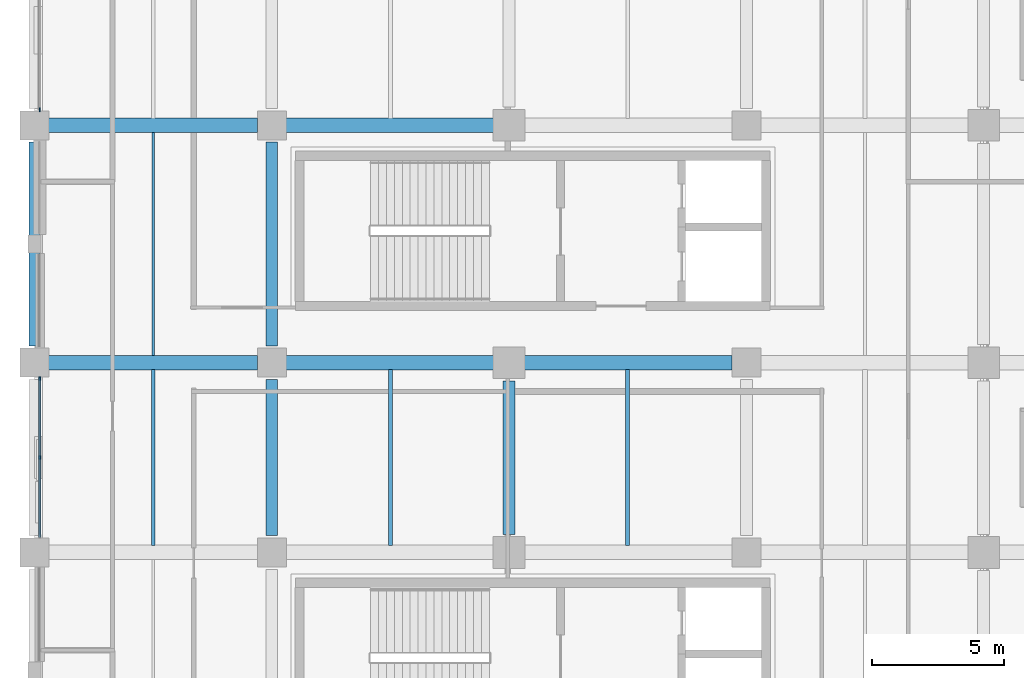
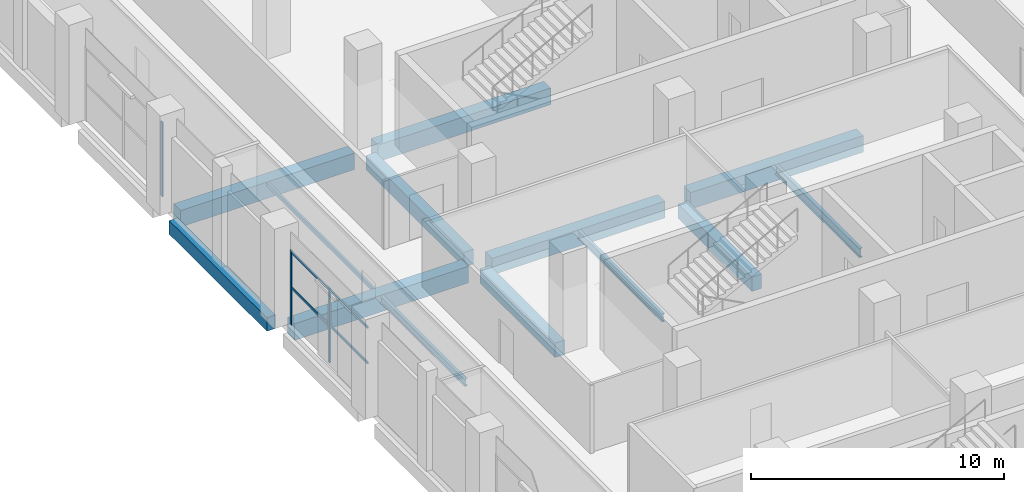
# One storey, part 16 of 100: 13 beams, 5 members, 2 elements without a shape of their own.
"""IFC4 building model written with IfcOpenShell, lengths in metres."""

from ifc_helpers import new_model, si_unit, direction, frame, origin, origin_2d, place, context, subcontext, project, spatial, rectangle, hollow_rectangle, i_section, extrude, material, material_profile, profile_set, type_object, element, aggregate, save


model = new_model("IFC4")

# Units and contexts
model_context = context("Model", 3, precision=1e-05, world=origin(), true_north=direction((0.0, 1.0)))
body_context = subcontext(model_context, "Body", "Model", "MODEL_VIEW")
ifc_project = project(units=[si_unit("LENGTHUNIT", "METRE"), si_unit("AREAUNIT", "SQUARE_METRE"), si_unit("VOLUMEUNIT", "CUBIC_METRE"), si_unit("PLANEANGLEUNIT", "RADIAN"), si_unit("MASSUNIT", "GRAM", prefix="KILO"), si_unit("THERMODYNAMICTEMPERATUREUNIT", "KELVIN"), si_unit("POWERUNIT", "WATT")], contexts=[model_context])

# Site, building, storey
site_placement = place(None, origin())
site = spatial("IfcSite", under=ifc_project, at=site_placement, CompositionType="ELEMENT")
building_placement = place(site_placement, origin())
building = spatial("IfcBuilding", under=site, at=building_placement, Name="Sindhuravela Promenade Stadium", CompositionType="ELEMENT")
storey_placement = place(building_placement, frame((0.0, 0.0, 4.800048828125)))
storey = spatial("IfcBuildingStorey", under=building, at=storey_placement, Name="L01", CompositionType="ELEMENT", Elevation=4.800048828125)

# Curtain wall, members
ifc_material_1 = material(Name="Anodised architectural aluminium 6063-T6", Category="aluminium")
curtain_wall_type_1 = type_object("IfcCurtainWallType", Name="CW-MOD-5", PredefinedType="NOTDEFINED", material=ifc_material_1)
curtain_wall_1_placement = place(storey_placement, origin())
curtain_wall_1 = element("IfcCurtainWall", 1, at=curtain_wall_1_placement, inside=storey, type_object=curtain_wall_type_1, Name="Bronze curtain wall CW-WEST-L01-004", PredefinedType="NOTDEFINED")
ifc_material_profile_1 = material_profile(ifc_material_1, rectangle(XDim=0.06005859375, YDim=0.139892578125, at=origin_2d()), Name="ALU M60x140")
ifc_profile_set_1 = profile_set([ifc_material_profile_1], Name="Anodised architectural aluminium 6063-T6")
member_type_1 = type_object("IfcMemberType", Name="CW-MUL-5", PredefinedType="MULLION", material=ifc_profile_set_1)
member_1_placement = place(storey_placement, frame((0.199951171875, 97.199951171875, 0.0), z_axis=(0.0, 0.0, 1.0), x_axis=(1.0, 0.0, 0.0)))
member_1 = element("IfcMember", 2, at=member_1_placement, type_object=member_type_1, Name="Curtain wall mullion CW-WEST-L01-004-M2", PredefinedType="MULLION", context=body_context, shape_type="SweptSolid", body=[
    extrude(rectangle(XDim=0.06005859375, YDim=0.139892578125, at=origin_2d()), origin(), (0.0, 0.0, 1.0), 3.579833984375),
])
member_2_placement = place(storey_placement, frame((0.199951171875, 100.199951171875, 0.0), z_axis=(0.0, 0.0, 1.0), x_axis=(1.0, 0.0, 0.0)))
member_2 = element("IfcMember", 3, at=member_2_placement, type_object=member_type_1, Name="Curtain wall mullion CW-WEST-L01-004-M3", PredefinedType="MULLION", context=body_context, shape_type="SweptSolid", body=[
    extrude(rectangle(XDim=0.06005859375, YDim=0.139892578125, at=origin_2d()), origin(), (0.0, 0.0, 1.0), 3.579833984375),
])

# Curtain wall, member
curtain_wall_type_2 = type_object("IfcCurtainWallType", Name="CW-MOD-6", PredefinedType="NOTDEFINED", material=ifc_material_1)
curtain_wall_2_placement = place(storey_placement, origin())
curtain_wall_2 = element("IfcCurtainWall", 4, at=curtain_wall_2_placement, inside=storey, type_object=curtain_wall_type_2, Name="Bronze curtain wall CW-WEST-L01-005", PredefinedType="NOTDEFINED")
ifc_material_profile_2 = material_profile(ifc_material_1, rectangle(XDim=0.054931640625, YDim=0.14990234375, at=origin_2d()), Name="ALU M55x150")
ifc_profile_set_2 = profile_set([ifc_material_profile_2], Name="Anodised architectural aluminium 6063-T6")
member_type_2 = type_object("IfcMemberType", Name="CW-MUL-6", PredefinedType="MULLION", material=ifc_profile_set_2)
member_3_placement = place(storey_placement, frame((0.199951171875, 110.39990234375, 0.0), z_axis=(0.0, 0.0, 1.0), x_axis=(1.0, 0.0, 0.0)))
member_3 = element("IfcMember", 5, at=member_3_placement, type_object=member_type_2, Name="Curtain wall mullion CW-WEST-L01-005-M1", PredefinedType="MULLION", context=body_context, shape_type="SweptSolid", body=[
    extrude(rectangle(XDim=0.054931640625, YDim=0.14990234375, at=origin_2d()), origin(), (0.0, 0.0, 1.0), 3.579833984375),
])
aggregate(curtain_wall_2, [member_3])

# Member
ifc_material_profile_3 = material_profile(ifc_material_1, rectangle(XDim=0.06005859375, YDim=0.110107421875, at=origin_2d()), Name="ALU T60x110")
ifc_profile_set_3 = profile_set([ifc_material_profile_3], Name="Anodised architectural aluminium 6063-T6")
member_type_3 = type_object("IfcMemberType", Name="CW-TRN-5", PredefinedType="USERDEFINED", material=ifc_profile_set_3)
member_4_placement = place(storey_placement, frame((0.199951171875, 94.175048828125, 1.7900390625), z_axis=(0.0, 1.0, 0.0), x_axis=(-1.0, 0.0, 0.0)))
member_4 = element("IfcMember", 6, at=member_4_placement, type_object=member_type_3, Name="Curtain wall transom CW-WEST-L01-004-T1", ObjectType="TRANSOM", PredefinedType="USERDEFINED", context=body_context, shape_type="SweptSolid", body=[
    extrude(rectangle(XDim=0.06005859375, YDim=0.110107421875, at=origin_2d()), origin(), (0.0, 0.0, 1.0), 6.050048828125),
])

member_5_placement = place(storey_placement, frame((0.199951171875, 94.175048828125, 3.5), z_axis=(0.0, 1.0, 0.0), x_axis=(-1.0, 0.0, 0.0)))
member_5 = element("IfcMember", 7, at=member_5_placement, type_object=member_type_3, Name="Curtain wall transom CW-WEST-L01-004-T2", ObjectType="TRANSOM", PredefinedType="USERDEFINED", context=body_context, shape_type="SweptSolid", body=[
    extrude(rectangle(XDim=0.06005859375, YDim=0.110107421875, at=origin_2d()), origin(), (0.0, 0.0, 1.0), 6.050048828125),
])

aggregate(curtain_wall_1, [member_1, member_2, member_4, member_5])

# Beams
ifc_material_2 = material(Name="Concrete M40", Category="concrete")
ifc_material_profile_4 = material_profile(ifc_material_2, rectangle(XDim=0.39990234375, YDim=0.64990234375, at=origin_2d()), Name="RC 400x650")
ifc_profile_set_4 = profile_set([ifc_material_profile_4], Name="Concrete M40")
beam_type_1 = type_object("IfcBeamType", Name="RC-BM-400x650", PredefinedType="SPANDREL", material=ifc_profile_set_4)
beam_1_placement = place(storey_placement, frame((0.0, 101.43994140625, -0.625), z_axis=(0.0, 1.0, 0.0), x_axis=(-1.0, 0.0, 0.0)))
element("IfcBeam", 8, at=beam_1_placement, inside=storey, type_object=beam_type_1, Name="Primary beam SP01 WEST L01", PredefinedType="SPANDREL", context=body_context, shape_type="SweptSolid", body=[
    extrude(rectangle(XDim=0.39990234375, YDim=0.64990234375, at=origin_2d()), origin(), (0.0, 0.0, 1.0), 7.719970703125),
])
ifc_material_profile_5 = material_profile(ifc_material_2, rectangle(XDim=0.449951171875, YDim=0.699951171875, at=origin_2d()), Name="RC 450x700")
ifc_profile_set_5 = profile_set([ifc_material_profile_5], Name="Concrete M40")
beam_type_2 = type_object("IfcBeamType", Name="RC-BM-450x700", PredefinedType="BEAM", material=ifc_profile_set_5)
beam_2_placement = place(storey_placement, frame((9.0, 94.239990234375, -0.650146484375), z_axis=(0.0, 1.0, 0.0), x_axis=(-1.0, 0.0, 0.0)))
element("IfcBeam", 9, at=beam_2_placement, inside=storey, type_object=beam_type_2, Name="Primary beam GB07 WEST L01", PredefinedType="BEAM", context=body_context, shape_type="SweptSolid", body=[
    extrude(rectangle(XDim=0.449951171875, YDim=0.699951171875, at=origin_2d()), origin(), (0.0, 0.0, 1.0), 5.919921875),
])
beam_3_placement = place(storey_placement, frame((9.0, 101.43994140625, -0.650146484375), z_axis=(0.0, 1.0, 0.0), x_axis=(-1.0, 0.0, 0.0)))
element("IfcBeam", 10, at=beam_3_placement, inside=storey, type_object=beam_type_2, Name="Primary beam GB07 WEST L01", PredefinedType="BEAM", context=body_context, shape_type="SweptSolid", body=[
    extrude(rectangle(XDim=0.449951171875, YDim=0.699951171875, at=origin_2d()), origin(), (0.0, 0.0, 1.0), 7.719970703125),
])
beam_4_placement = place(storey_placement, frame((18.0, 94.2900390625, -0.650146484375), z_axis=(0.0, 1.0, 0.0), x_axis=(-1.0, 0.0, 0.0)))
element("IfcBeam", 11, at=beam_4_placement, inside=storey, type_object=beam_type_2, Name="Primary beam GB07 WEST L01", PredefinedType="BEAM", context=body_context, shape_type="SweptSolid", body=[
    extrude(rectangle(XDim=0.449951171875, YDim=0.699951171875, at=origin_2d()), origin(), (0.0, 0.0, 1.0), 5.820068359375),
])
ifc_material_profile_6 = material_profile(ifc_material_2, rectangle(XDim=0.550048828125, YDim=0.800048828125, at=origin_2d()), Name="RC 550x800")
ifc_profile_set_6 = profile_set([ifc_material_profile_6], Name="Concrete M40")
beam_type_3 = type_object("IfcBeamType", Name="RC-BM-550x800", PredefinedType="BEAM", material=ifc_profile_set_6)
beam_5_placement = place(storey_placement, frame((0.5400390625, 100.800048828125, -0.699951171875), z_axis=(1.0, 0.0, 0.0), x_axis=(0.0, 1.0, 0.0)))
element("IfcBeam", 12, at=beam_5_placement, inside=storey, type_object=beam_type_3, Name="Primary girder GB05 WEST L01", PredefinedType="BEAM", context=body_context, shape_type="SweptSolid", body=[
    extrude(rectangle(XDim=0.550048828125, YDim=0.800048828125, at=origin_2d()), origin(), (0.0, 0.0, 1.0), 7.919921875),
])
for number, where, z_axis, x_axis, name in (
    (13, (9.5400390625, 100.800048828125, -0.699951171875), (1.0, 0.0, 0.0), (0.0, 1.0, 0.0), "Primary girder GB05 WEST L01"),
    (14, (18.590087890625, 100.800048828125, -0.699951171875), (1.0, 0.0, 0.0), (0.0, 1.0, 0.0), "Primary girder GB05 WEST L01"),
):
    element("IfcBeam", number, at=place(storey_placement, frame(where, z_axis=z_axis, x_axis=x_axis)), inside=storey, type_object=beam_type_3, Name=name, PredefinedType="BEAM", context=body_context, shape_type="SweptSolid", body=[
        extrude(rectangle(XDim=0.550048828125, YDim=0.800048828125, at=origin_2d()), origin(), (0.0, 0.0, 1.0), 7.869873046875),
    ])
beam_6_placement = place(storey_placement, frame((0.5400390625, 109.800048828125, -0.699951171875), z_axis=(1.0, 0.0, 0.0), x_axis=(0.0, 1.0, 0.0)))
element("IfcBeam", 15, at=beam_6_placement, inside=storey, type_object=beam_type_3, Name="Primary girder GB05 WEST L01", PredefinedType="BEAM", context=body_context, shape_type="SweptSolid", body=[
    extrude(rectangle(XDim=0.550048828125, YDim=0.800048828125, at=origin_2d()), origin(), (0.0, 0.0, 1.0), 7.919921875),
])
beam_7_placement = place(storey_placement, frame((9.5400390625, 109.800048828125, -0.699951171875), z_axis=(1.0, 0.0, 0.0), x_axis=(0.0, 1.0, 0.0)))
element("IfcBeam", 16, at=beam_7_placement, inside=storey, type_object=beam_type_3, Name="Primary girder GB05 WEST L01", PredefinedType="BEAM", context=body_context, shape_type="SweptSolid", body=[
    extrude(rectangle(XDim=0.550048828125, YDim=0.800048828125, at=origin_2d()), origin(), (0.0, 0.0, 1.0), 7.869873046875),
])
ifc_material_3 = material(Name="Steel E350 (IS 2062 E350BR)", Category="steel")
ifc_material_profile_7 = material_profile(ifc_material_3, hollow_rectangle(XDim=0.10009765625, YDim=0.199951171875, WallThickness=0.008056640625, at=origin_2d()), Name="RHS 200x100x8")
ifc_profile_set_7 = profile_set([ifc_material_profile_7], Name="Steel E350 (IS 2062 E350BR)")
beam_type_4 = type_object("IfcBeamType", Name="ST-BM-LNT200", PredefinedType="LINTEL", material=ifc_profile_set_7)
beam_8_placement = place(storey_placement, frame((4.5, 101.06494140625, -0.400146484375), z_axis=(0.0, 1.0, 0.0), x_axis=(-1.0, 0.0, 0.0)))
element("IfcBeam", 17, at=beam_8_placement, inside=storey, type_object=beam_type_4, Name="Secondary floor joist LN01 WEST L01", PredefinedType="LINTEL", context=body_context, shape_type="SweptSolid", body=[
    extrude(hollow_rectangle(XDim=0.10009765625, YDim=0.199951171875, WallThickness=0.008056640625, at=origin_2d()), origin(), (0.0, 0.0, 1.0), 8.469970703125),
])
ifc_material_profile_8 = material_profile(ifc_material_3, i_section(OverallWidth=0.139892578125, OverallDepth=0.35009765625, WebThickness=0.008056640625, FlangeThickness=0.01416015625, FilletRadius=0.013916015625, at=origin_2d()), Name="ISMB 350")
ifc_profile_set_8 = profile_set([ifc_material_profile_8], Name="Steel E350 (IS 2062 E350BR)")
beam_type_5 = type_object("IfcBeamType", Name="ST-BM-MB350", PredefinedType="JOIST", material=ifc_profile_set_8)
beam_9_placement = place(storey_placement, frame((4.5, 93.864990234375, -0.47509765625), z_axis=(0.0, 1.0, 0.0), x_axis=(-1.0, 0.0, 0.0)))
element("IfcBeam", 18, at=beam_9_placement, inside=storey, type_object=beam_type_5, Name="Secondary floor joist SB04 WEST L01", PredefinedType="JOIST", context=body_context, shape_type="SweptSolid", body=[
    extrude(i_section(OverallWidth=0.139892578125, OverallDepth=0.35009765625, WebThickness=0.008056640625, FlangeThickness=0.01416015625, FilletRadius=0.013916015625, at=origin_2d()), origin(), (0.0, 0.0, 1.0), 6.669921875),
])
ifc_material_profile_9 = material_profile(ifc_material_3, i_section(OverallWidth=0.139892578125, OverallDepth=0.39990234375, WebThickness=0.0087890625, FlangeThickness=0.01611328125, FilletRadius=0.013916015625, at=origin_2d()), Name="ISMB 400")
ifc_profile_set_9 = profile_set([ifc_material_profile_9], Name="Steel E350 (IS 2062 E350BR)")
beam_type_6 = type_object("IfcBeamType", Name="ST-BM-MB400", PredefinedType="BEAM", material=ifc_profile_set_9)
beam_10_placement = place(storey_placement, frame((13.5, 93.864990234375, -0.5), z_axis=(0.0, 1.0, 0.0), x_axis=(-1.0, 0.0, 0.0)))
element("IfcBeam", 19, at=beam_10_placement, inside=storey, type_object=beam_type_6, Name="Secondary floor joist SB05 WEST L01", PredefinedType="BEAM", context=body_context, shape_type="SweptSolid", body=[
    extrude(i_section(OverallWidth=0.139892578125, OverallDepth=0.39990234375, WebThickness=0.0087890625, FlangeThickness=0.01611328125, FilletRadius=0.013916015625, at=origin_2d()), origin(), (0.0, 0.0, 1.0), 6.669921875),
])
ifc_material_profile_10 = material_profile(ifc_material_3, i_section(OverallWidth=0.14990234375, OverallDepth=0.449951171875, WebThickness=0.009521484375, FlangeThickness=0.017333984375, FilletRadius=0.014892578125, at=origin_2d()), Name="ISMB 450")
ifc_profile_set_10 = profile_set([ifc_material_profile_10], Name="Steel E350 (IS 2062 E350BR)")
beam_type_7 = type_object("IfcBeamType", Name="ST-BM-MB450", PredefinedType="BEAM", material=ifc_profile_set_10)
beam_11_placement = place(storey_placement, frame((22.5, 93.864990234375, -0.525146484375), z_axis=(0.0, 1.0, 0.0), x_axis=(-1.0, 0.0, 0.0)))
element("IfcBeam", 20, at=beam_11_placement, inside=storey, type_object=beam_type_7, Name="Secondary floor joist SB06 WEST L01", PredefinedType="BEAM", context=body_context, shape_type="SweptSolid", body=[
    extrude(i_section(OverallWidth=0.14990234375, OverallDepth=0.449951171875, WebThickness=0.009521484375, FlangeThickness=0.017333984375, FilletRadius=0.014892578125, at=origin_2d()), origin(), (0.0, 0.0, 1.0), 6.669921875),
])

save(model, "model.ifc")
